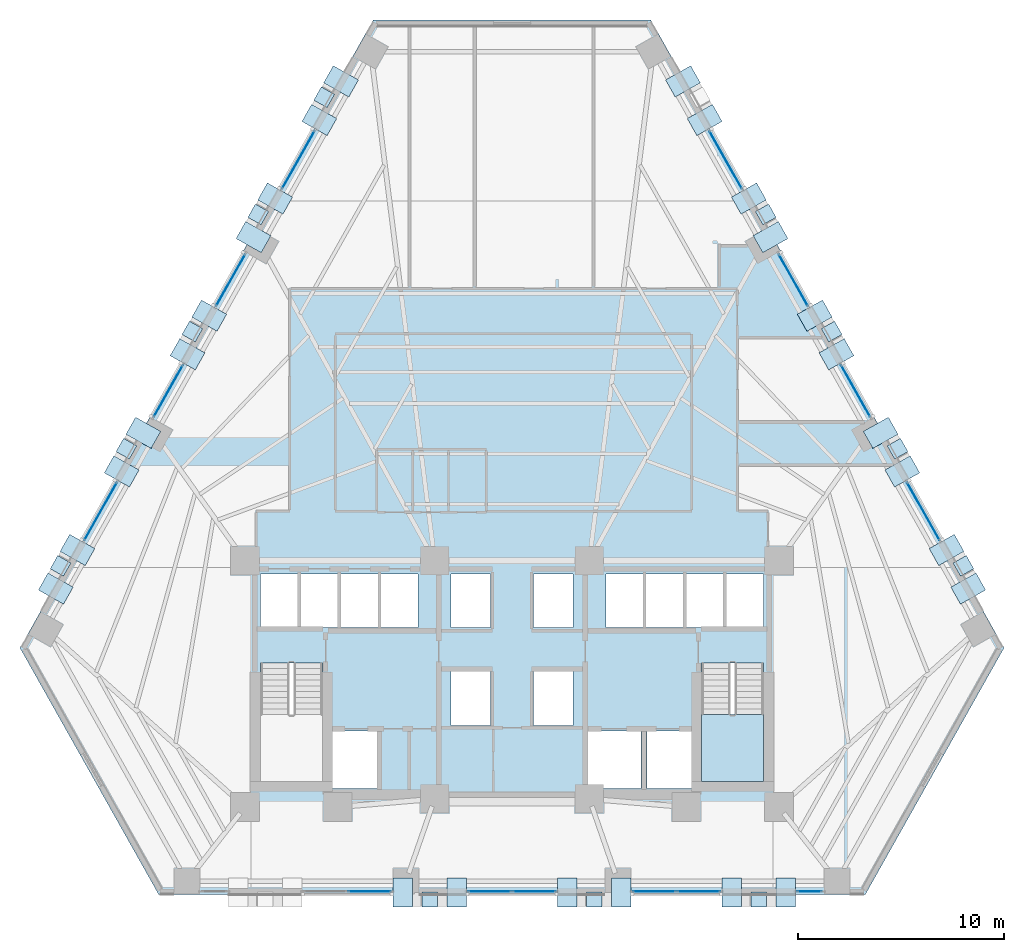
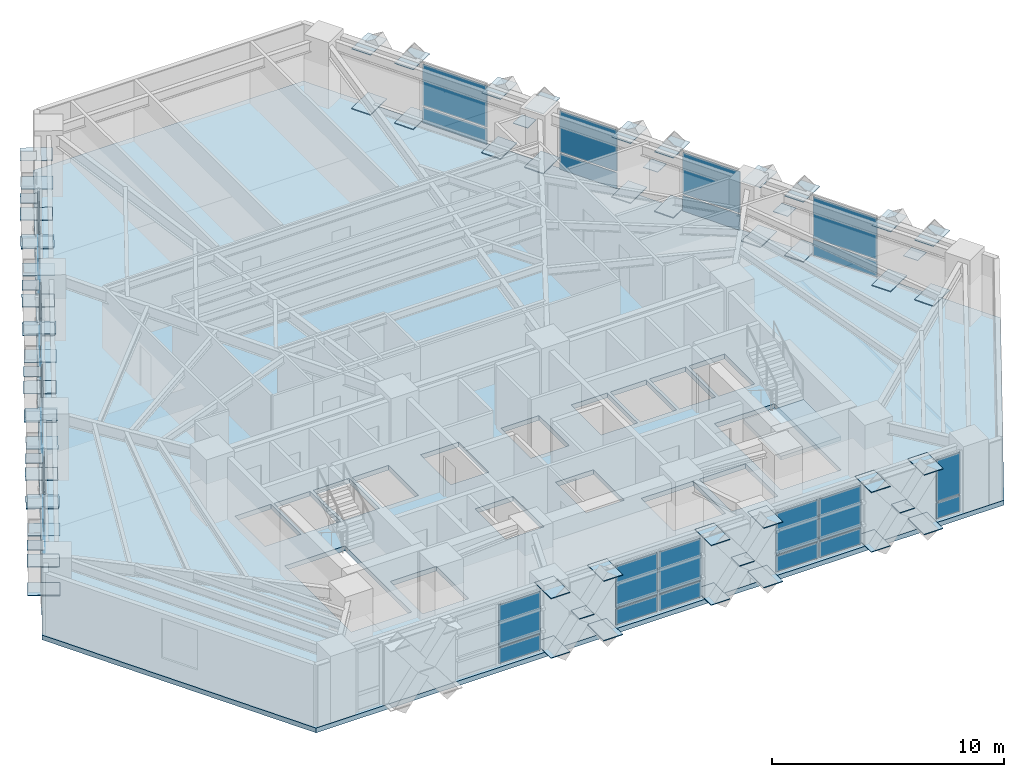
# One storey, part 6 of 13: 92 plates, 2 slabs, 13 elements without a shape of their own.
"""IFC4 building model written with IfcOpenShell, lengths in metres."""

from ifc_helpers import new_model, si_unit, direction, frame, origin, origin_2d, place, context, subcontext, project, spatial, polyline, rectangle, outline, extrude, material, layer, layer_set, type_object, element, aggregate, save


model = new_model("IFC4")

# Units and contexts
model_context = context("Model", 3, precision=1e-05, world=origin(), true_north=direction((0.0, 1.0)))
body_context = subcontext(model_context, "Body", "Model", "MODEL_VIEW")
ifc_project = project(units=[si_unit("LENGTHUNIT", "METRE"), si_unit("AREAUNIT", "SQUARE_METRE"), si_unit("VOLUMEUNIT", "CUBIC_METRE"), si_unit("PLANEANGLEUNIT", "RADIAN"), si_unit("MASSUNIT", "GRAM", prefix="KILO")], contexts=[model_context])

# Site, building, storey
site_placement = place(None, origin())
site = spatial("IfcSite", under=ifc_project, at=site_placement, CompositionType="ELEMENT")
building_placement = place(site_placement, origin())
building = spatial("IfcBuilding", under=site, at=building_placement, Name="Quenlor Broadcast Tower", CompositionType="ELEMENT")
storey_placement = place(building_placement, frame((0.0, 0.0, 31.10009765625)))
storey = spatial("IfcBuildingStorey", under=building, at=storey_placement, Name="L07", CompositionType="ELEMENT", Elevation=31.10009765625)

# Curtain wall, plates
ifc_material_1 = material(Name="Architectural Terracotta and Low-E Glazing", Category="masonry")
curtain_wall_type = type_object("IfcCurtainWallType", Name="Unitised Terracotta Curtain Wall System Z1", PredefinedType="NOTDEFINED", material=ifc_material_1)
curtain_wall_1_placement = place(storey_placement, origin())
curtain_wall_1 = element("IfcCurtainWall", 1, at=curtain_wall_1_placement, inside=storey, type_object=curtain_wall_type, Name="L07 Curtain Wall CW1 (L07-SA-G1)", PredefinedType="NOTDEFINED")
ifc_material_2 = material(Name="Double Glazed Low-E Solar Glass", Category="glass")
ifc_layer_1 = layer(ifc_material_2, 0.031982421875)
ifc_layer_set_1 = layer_set([ifc_layer_1], Name="CW1 Double Glazed Vision Panel 32")
plate_type_1 = type_object("IfcPlateType", Name="CW1 Double Glazed Vision Panel 32", PredefinedType="CURTAIN_PANEL", material=ifc_layer_set_1)
plate_1_placement = place(storey_placement, frame((14.44091796875, -20.840087890625, 0.079833984375), z_axis=(0.0, 0.0, 1.0), x_axis=(-1.0, 0.0, 0.0)))
plate_1 = element("IfcPlate", 2, at=plate_1_placement, type_object=plate_type_1, Name="CW1 panel 1.1", PredefinedType="CURTAIN_PANEL", context=body_context, shape_type="SweptSolid", body=[
    extrude(rectangle(XDim=1.188232421875, YDim=0.031982421875, at=origin_2d()), origin(), (0.0, 0.0, 1.0), 0.830078125),
])
plate_2_placement = place(storey_placement, frame((14.44091796875, -20.840087890625, 0.98974609375), z_axis=(0.0, 0.0, 1.0), x_axis=(-1.0, 0.0, 0.0)))
plate_2 = element("IfcPlate", 3, at=plate_2_placement, type_object=plate_type_1, Name="CW1 panel 1.2", PredefinedType="CURTAIN_PANEL", context=body_context, shape_type="SweptSolid", body=[
    extrude(rectangle(XDim=1.188232421875, YDim=0.031982421875, at=origin_2d()), origin(), (0.0, 0.0, 1.0), 2.179931640625),
])
aggregate(curtain_wall_1, [plate_1, plate_2])

curtain_wall_2_placement = place(storey_placement, origin())
curtain_wall_2 = element("IfcCurtainWall", 4, at=curtain_wall_2_placement, inside=storey, type_object=curtain_wall_type, Name="L07 Curtain Wall CW1 (L07-SA-G2)", PredefinedType="NOTDEFINED")
plate_3_placement = place(storey_placement, frame((9.058837890625, -20.840087890625, 0.079833984375), z_axis=(0.0, 0.0, 1.0), x_axis=(-1.0, 0.0, 0.0)))
plate_3 = element("IfcPlate", 5, at=plate_3_placement, type_object=plate_type_1, Name="CW1 panel 1.1", PredefinedType="CURTAIN_PANEL", context=body_context, shape_type="SweptSolid", body=[
    extrude(rectangle(XDim=2.072021484375, YDim=0.031982421875, at=origin_2d()), origin(), (0.0, 0.0, 1.0), 0.830078125),
])
plate_4_placement = place(storey_placement, frame((9.058837890625, -20.840087890625, 0.98974609375), z_axis=(0.0, 0.0, 1.0), x_axis=(-1.0, 0.0, 0.0)))
plate_4 = element("IfcPlate", 6, at=plate_4_placement, type_object=plate_type_1, Name="CW1 panel 1.2", PredefinedType="CURTAIN_PANEL", context=body_context, shape_type="SweptSolid", body=[
    extrude(rectangle(XDim=2.072021484375, YDim=0.031982421875, at=origin_2d()), origin(), (0.0, 0.0, 1.0), 2.179931640625),
])
plate_5_placement = place(storey_placement, frame((6.90673828125, -20.840087890625, 0.079833984375), z_axis=(0.0, 0.0, 1.0), x_axis=(-1.0, 0.0, 0.0)))
plate_5 = element("IfcPlate", 7, at=plate_5_placement, type_object=plate_type_1, Name="CW1 panel 2.1", PredefinedType="CURTAIN_PANEL", context=body_context, shape_type="SweptSolid", body=[
    extrude(rectangle(XDim=2.072021484375, YDim=0.031982421875, at=origin_2d()), origin(), (0.0, 0.0, 1.0), 0.830078125),
])
plate_6_placement = place(storey_placement, frame((6.90673828125, -20.840087890625, 0.98974609375), z_axis=(0.0, 0.0, 1.0), x_axis=(-1.0, 0.0, 0.0)))
plate_6 = element("IfcPlate", 8, at=plate_6_placement, type_object=plate_type_1, Name="CW1 panel 2.2", PredefinedType="CURTAIN_PANEL", context=body_context, shape_type="SweptSolid", body=[
    extrude(rectangle(XDim=2.072021484375, YDim=0.031982421875, at=origin_2d()), origin(), (0.0, 0.0, 1.0), 2.179931640625),
])
aggregate(curtain_wall_2, [plate_3, plate_4, plate_5, plate_6])

curtain_wall_3_placement = place(storey_placement, origin())
curtain_wall_3 = element("IfcCurtainWall", 9, at=curtain_wall_3_placement, inside=storey, type_object=curtain_wall_type, Name="L07 Curtain Wall CW1 (L07-SC-G1)", PredefinedType="NOTDEFINED")
plate_7_placement = place(storey_placement, frame((-6.90673828125, -20.840087890625, 0.079833984375), z_axis=(0.0, 0.0, 1.0), x_axis=(-1.0, 0.0, 0.0)))
plate_7 = element("IfcPlate", 10, at=plate_7_placement, type_object=plate_type_1, Name="CW1 panel 1.1", PredefinedType="CURTAIN_PANEL", context=body_context, shape_type="SweptSolid", body=[
    extrude(rectangle(XDim=2.072021484375, YDim=0.031982421875, at=origin_2d()), origin(), (0.0, 0.0, 1.0), 0.830078125),
])
plate_8_placement = place(storey_placement, frame((-6.90673828125, -20.840087890625, 0.98974609375), z_axis=(0.0, 0.0, 1.0), x_axis=(-1.0, 0.0, 0.0)))
plate_8 = element("IfcPlate", 11, at=plate_8_placement, type_object=plate_type_1, Name="CW1 panel 1.2", PredefinedType="CURTAIN_PANEL", context=body_context, shape_type="SweptSolid", body=[
    extrude(rectangle(XDim=2.072021484375, YDim=0.031982421875, at=origin_2d()), origin(), (0.0, 0.0, 1.0), 2.179931640625),
])
aggregate(curtain_wall_3, [plate_7, plate_8])

curtain_wall_4_placement = place(storey_placement, origin())
curtain_wall_4 = element("IfcCurtainWall", 12, at=curtain_wall_4_placement, inside=storey, type_object=curtain_wall_type, Name="L07 Curtain Wall CW1 (L07-S-G1)", PredefinedType="NOTDEFINED")
plate_9_placement = place(storey_placement, frame((1.0771484375, -20.840087890625, 0.079833984375), z_axis=(0.0, 0.0, 1.0), x_axis=(-1.0, 0.0, 0.0)))
plate_9 = element("IfcPlate", 13, at=plate_9_placement, type_object=plate_type_1, Name="CW1 panel 1.1", PredefinedType="CURTAIN_PANEL", context=body_context, shape_type="SweptSolid", body=[
    extrude(rectangle(XDim=2.07421875, YDim=0.031982421875, at=origin_2d()), origin(), (0.0, 0.0, 1.0), 0.830078125),
])
plate_10_placement = place(storey_placement, frame((1.0771484375, -20.840087890625, 0.98974609375), z_axis=(0.0, 0.0, 1.0), x_axis=(-1.0, 0.0, 0.0)))
plate_10 = element("IfcPlate", 14, at=plate_10_placement, type_object=plate_type_1, Name="CW1 panel 1.2", PredefinedType="CURTAIN_PANEL", context=body_context, shape_type="SweptSolid", body=[
    extrude(rectangle(XDim=2.07421875, YDim=0.031982421875, at=origin_2d()), origin(), (0.0, 0.0, 1.0), 2.179931640625),
])
plate_11_placement = place(storey_placement, frame((-1.0771484375, -20.840087890625, 0.079833984375), z_axis=(0.0, 0.0, 1.0), x_axis=(-1.0, 0.0, 0.0)))
plate_11 = element("IfcPlate", 15, at=plate_11_placement, type_object=plate_type_1, Name="CW1 panel 2.1", PredefinedType="CURTAIN_PANEL", context=body_context, shape_type="SweptSolid", body=[
    extrude(rectangle(XDim=2.07421875, YDim=0.031982421875, at=origin_2d()), origin(), (0.0, 0.0, 1.0), 0.830078125),
])
plate_12_placement = place(storey_placement, frame((-1.0771484375, -20.840087890625, 0.98974609375), z_axis=(0.0, 0.0, 1.0), x_axis=(-1.0, 0.0, 0.0)))
plate_12 = element("IfcPlate", 16, at=plate_12_placement, type_object=plate_type_1, Name="CW1 panel 2.2", PredefinedType="CURTAIN_PANEL", context=body_context, shape_type="SweptSolid", body=[
    extrude(rectangle(XDim=2.07421875, YDim=0.031982421875, at=origin_2d()), origin(), (0.0, 0.0, 1.0), 2.179931640625),
])
aggregate(curtain_wall_4, [plate_9, plate_10, plate_11, plate_12])

curtain_wall_5_placement = place(storey_placement, origin())
curtain_wall_5 = element("IfcCurtainWall", 17, at=curtain_wall_5_placement, inside=storey, type_object=curtain_wall_type, Name="L07 Curtain Wall CW1 (L07-NEA-G1)", PredefinedType="NOTDEFINED")
plate_13_placement = place(storey_placement, frame((10.365234375, 14.646240234375, 0.079833984375), z_axis=(0.0, 0.0, 1.0), x_axis=(0.49024438836, -0.871585015751, 0.0)))
plate_13 = element("IfcPlate", 18, at=plate_13_placement, type_object=plate_type_1, Name="CW1 panel 1.1", PredefinedType="CURTAIN_PANEL", context=body_context, shape_type="SweptSolid", body=[
    extrude(rectangle(XDim=3.220947265625, YDim=0.031982421875, at=origin_2d()), origin(), (0.0, 0.0, 1.0), 0.830078125),
])
plate_14_placement = place(storey_placement, frame((10.365234375, 14.646240234375, 0.98974609375), z_axis=(0.0, 0.0, 1.0), x_axis=(0.49024438836, -0.871585015751, 0.0)))
plate_14 = element("IfcPlate", 19, at=plate_14_placement, type_object=plate_type_1, Name="CW1 panel 1.2", PredefinedType="CURTAIN_PANEL", context=body_context, shape_type="SweptSolid", body=[
    extrude(rectangle(XDim=3.220947265625, YDim=0.031982421875, at=origin_2d()), origin(), (0.0, 0.0, 1.0), 2.179931640625),
])
aggregate(curtain_wall_5, [plate_13, plate_14])

curtain_wall_6_placement = place(storey_placement, origin())
curtain_wall_6 = element("IfcCurtainWall", 20, at=curtain_wall_6_placement, inside=storey, type_object=curtain_wall_type, Name="L07 Curtain Wall CW1 (L07-NEC-G1)", PredefinedType="NOTDEFINED")
plate_15_placement = place(storey_placement, frame((19.95556640625, -2.403076171875, 0.079833984375), z_axis=(0.0, 0.0, 1.0), x_axis=(0.49025702672, -0.871577906875, 0.0)))
plate_15 = element("IfcPlate", 21, at=plate_15_placement, type_object=plate_type_1, Name="CW1 panel 1.1", PredefinedType="CURTAIN_PANEL", context=body_context, shape_type="SweptSolid", body=[
    extrude(rectangle(XDim=3.220947265625, YDim=0.031982421875, at=origin_2d()), origin(), (0.0, 0.0, 1.0), 0.830078125),
])
plate_16_placement = place(storey_placement, frame((19.95556640625, -2.403076171875, 0.98974609375), z_axis=(0.0, 0.0, 1.0), x_axis=(0.49025702672, -0.871577906875, 0.0)))
plate_16 = element("IfcPlate", 22, at=plate_16_placement, type_object=plate_type_1, Name="CW1 panel 1.2", PredefinedType="CURTAIN_PANEL", context=body_context, shape_type="SweptSolid", body=[
    extrude(rectangle(XDim=3.220947265625, YDim=0.031982421875, at=origin_2d()), origin(), (0.0, 0.0, 1.0), 2.179931640625),
])
aggregate(curtain_wall_6, [plate_15, plate_16])

curtain_wall_7_placement = place(storey_placement, origin())
curtain_wall_7 = element("IfcCurtainWall", 23, at=curtain_wall_7_placement, inside=storey, type_object=curtain_wall_type, Name="L07 Curtain Wall CW1 (L07-NE-G1)", PredefinedType="NOTDEFINED")
plate_17_placement = place(storey_placement, frame((13.648681640625, 8.809326171875, 0.079833984375), z_axis=(0.0, 0.0, 1.0), x_axis=(0.490273782815, -0.871568481465, 0.0)))
plate_17 = element("IfcPlate", 24, at=plate_17_placement, type_object=plate_type_1, Name="CW1 panel 1.1", PredefinedType="CURTAIN_PANEL", context=body_context, shape_type="SweptSolid", body=[
    extrude(rectangle(XDim=2.8681640625, YDim=0.031982421875, at=origin_2d()), origin(), (0.0, 0.0, 1.0), 0.830078125),
])
plate_18_placement = place(storey_placement, frame((13.648681640625, 8.809326171875, 0.98974609375), z_axis=(0.0, 0.0, 1.0), x_axis=(0.490273782815, -0.871568481465, 0.0)))
plate_18 = element("IfcPlate", 25, at=plate_18_placement, type_object=plate_type_1, Name="CW1 panel 1.2", PredefinedType="CURTAIN_PANEL", context=body_context, shape_type="SweptSolid", body=[
    extrude(rectangle(XDim=2.8681640625, YDim=0.031982421875, at=origin_2d()), origin(), (0.0, 0.0, 1.0), 2.179931640625),
])
aggregate(curtain_wall_7, [plate_17, plate_18])

curtain_wall_8_placement = place(storey_placement, origin())
curtain_wall_8 = element("IfcCurtainWall", 26, at=curtain_wall_8_placement, inside=storey, type_object=curtain_wall_type, Name="L07 Curtain Wall CW1 (L07-NE-G2)", PredefinedType="NOTDEFINED")
plate_19_placement = place(storey_placement, frame((16.67236328125, 3.433837890625, 0.079833984375), z_axis=(0.0, 0.0, 1.0), x_axis=(0.490273782815, -0.871568481465, 0.0)))
plate_19 = element("IfcPlate", 27, at=plate_19_placement, type_object=plate_type_1, Name="CW1 panel 1.1", PredefinedType="CURTAIN_PANEL", context=body_context, shape_type="SweptSolid", body=[
    extrude(rectangle(XDim=2.8681640625, YDim=0.031982421875, at=origin_2d()), origin(), (0.0, 0.0, 1.0), 0.830078125),
])
plate_20_placement = place(storey_placement, frame((16.67236328125, 3.433837890625, 0.98974609375), z_axis=(0.0, 0.0, 1.0), x_axis=(0.490273782815, -0.871568481465, 0.0)))
plate_20 = element("IfcPlate", 28, at=plate_20_placement, type_object=plate_type_1, Name="CW1 panel 1.2", PredefinedType="CURTAIN_PANEL", context=body_context, shape_type="SweptSolid", body=[
    extrude(rectangle(XDim=2.8681640625, YDim=0.031982421875, at=origin_2d()), origin(), (0.0, 0.0, 1.0), 2.179931640625),
])
aggregate(curtain_wall_8, [plate_19, plate_20])

curtain_wall_9_placement = place(storey_placement, origin())
curtain_wall_9 = element("IfcCurtainWall", 29, at=curtain_wall_9_placement, inside=storey, type_object=curtain_wall_type, Name="L07 Curtain Wall CW1 (L07-NWA-G1)", PredefinedType="NOTDEFINED")
plate_21_placement = place(storey_placement, frame((-19.95556640625, -2.403076171875, 0.079833984375), z_axis=(0.0, 0.0, 1.0), x_axis=(0.49025702672, 0.871577906875, 0.0)))
plate_21 = element("IfcPlate", 30, at=plate_21_placement, type_object=plate_type_1, Name="CW1 panel 1.1", PredefinedType="CURTAIN_PANEL", context=body_context, shape_type="SweptSolid", body=[
    extrude(rectangle(XDim=3.220947265625, YDim=0.031982421875, at=origin_2d()), origin(), (0.0, 0.0, 1.0), 0.830078125),
])
plate_22_placement = place(storey_placement, frame((-19.95556640625, -2.403076171875, 0.98974609375), z_axis=(0.0, 0.0, 1.0), x_axis=(0.49025702672, 0.871577906875, 0.0)))
plate_22 = element("IfcPlate", 31, at=plate_22_placement, type_object=plate_type_1, Name="CW1 panel 1.2", PredefinedType="CURTAIN_PANEL", context=body_context, shape_type="SweptSolid", body=[
    extrude(rectangle(XDim=3.220947265625, YDim=0.031982421875, at=origin_2d()), origin(), (0.0, 0.0, 1.0), 2.179931640625),
])
aggregate(curtain_wall_9, [plate_21, plate_22])

curtain_wall_10_placement = place(storey_placement, origin())
curtain_wall_10 = element("IfcCurtainWall", 32, at=curtain_wall_10_placement, inside=storey, type_object=curtain_wall_type, Name="L07 Curtain Wall CW1 (L07-NWC-G1)", PredefinedType="NOTDEFINED")
plate_23_placement = place(storey_placement, frame((-10.365234375, 14.646240234375, 0.079833984375), z_axis=(0.0, 0.0, 1.0), x_axis=(0.49024438836, 0.871585015751, 0.0)))
plate_23 = element("IfcPlate", 33, at=plate_23_placement, type_object=plate_type_1, Name="CW1 panel 1.1", PredefinedType="CURTAIN_PANEL", context=body_context, shape_type="SweptSolid", body=[
    extrude(rectangle(XDim=3.220947265625, YDim=0.031982421875, at=origin_2d()), origin(), (0.0, 0.0, 1.0), 0.830078125),
])
plate_24_placement = place(storey_placement, frame((-10.365234375, 14.646240234375, 0.98974609375), z_axis=(0.0, 0.0, 1.0), x_axis=(0.49024438836, 0.871585015751, 0.0)))
plate_24 = element("IfcPlate", 34, at=plate_24_placement, type_object=plate_type_1, Name="CW1 panel 1.2", PredefinedType="CURTAIN_PANEL", context=body_context, shape_type="SweptSolid", body=[
    extrude(rectangle(XDim=3.220947265625, YDim=0.031982421875, at=origin_2d()), origin(), (0.0, 0.0, 1.0), 2.179931640625),
])
aggregate(curtain_wall_10, [plate_23, plate_24])

curtain_wall_11_placement = place(storey_placement, origin())
curtain_wall_11 = element("IfcCurtainWall", 35, at=curtain_wall_11_placement, inside=storey, type_object=curtain_wall_type, Name="L07 Curtain Wall CW1 (L07-NW-G1)", PredefinedType="NOTDEFINED")
plate_25_placement = place(storey_placement, frame((-16.67236328125, 3.433837890625, 0.079833984375), z_axis=(0.0, 0.0, 1.0), x_axis=(0.490273782815, 0.871568481465, 0.0)))
plate_25 = element("IfcPlate", 36, at=plate_25_placement, type_object=plate_type_1, Name="CW1 panel 1.1", PredefinedType="CURTAIN_PANEL", context=body_context, shape_type="SweptSolid", body=[
    extrude(rectangle(XDim=2.8681640625, YDim=0.031982421875, at=origin_2d()), origin(), (0.0, 0.0, 1.0), 0.830078125),
])
plate_26_placement = place(storey_placement, frame((-16.67236328125, 3.433837890625, 0.98974609375), z_axis=(0.0, 0.0, 1.0), x_axis=(0.490273782815, 0.871568481465, 0.0)))
plate_26 = element("IfcPlate", 37, at=plate_26_placement, type_object=plate_type_1, Name="CW1 panel 1.2", PredefinedType="CURTAIN_PANEL", context=body_context, shape_type="SweptSolid", body=[
    extrude(rectangle(XDim=2.8681640625, YDim=0.031982421875, at=origin_2d()), origin(), (0.0, 0.0, 1.0), 2.179931640625),
])
aggregate(curtain_wall_11, [plate_25, plate_26])

curtain_wall_12_placement = place(storey_placement, origin())
curtain_wall_12 = element("IfcCurtainWall", 38, at=curtain_wall_12_placement, inside=storey, type_object=curtain_wall_type, Name="L07 Curtain Wall CW1 (L07-NW-G2)", PredefinedType="NOTDEFINED")
plate_27_placement = place(storey_placement, frame((-13.648681640625, 8.809326171875, 0.079833984375), z_axis=(0.0, 0.0, 1.0), x_axis=(0.490273782815, 0.871568481465, 0.0)))
plate_27 = element("IfcPlate", 39, at=plate_27_placement, type_object=plate_type_1, Name="CW1 panel 1.1", PredefinedType="CURTAIN_PANEL", context=body_context, shape_type="SweptSolid", body=[
    extrude(rectangle(XDim=2.8681640625, YDim=0.031982421875, at=origin_2d()), origin(), (0.0, 0.0, 1.0), 0.830078125),
])
plate_28_placement = place(storey_placement, frame((-13.648681640625, 8.809326171875, 0.98974609375), z_axis=(0.0, 0.0, 1.0), x_axis=(0.490273782815, 0.871568481465, 0.0)))
plate_28 = element("IfcPlate", 40, at=plate_28_placement, type_object=plate_type_1, Name="CW1 panel 1.2", PredefinedType="CURTAIN_PANEL", context=body_context, shape_type="SweptSolid", body=[
    extrude(rectangle(XDim=2.8681640625, YDim=0.031982421875, at=origin_2d()), origin(), (0.0, 0.0, 1.0), 2.179931640625),
])
aggregate(curtain_wall_12, [plate_27, plate_28])

# Plates
ifc_material_3 = material(Name="Steel S355", Category="steel")
ifc_layer_2 = layer(ifc_material_3, 0.028076171875)
ifc_layer_set_2 = layer_set([ifc_layer_2], Name="Perimeter Lattice Node Steel S355 Cap Plate 740x740x28")
plate_type_2 = type_object("IfcPlateType", Name="Perimeter Lattice Node Steel S355 Cap Plate 740x740x28", PredefinedType="USERDEFINED", material=ifc_layer_set_2)
for number, where, z_axis, x_axis, name in (
    (41, (11.970703125, -21.235107421875, 1.61572265625), (0.0, 0.0, 1.0), (-1.0, 0.0, 0.0), "L07 Diamond Lattice Crossing Node S-C1"),
    (42, (3.990234375, -21.235107421875, 1.61572265625), (0.0, 0.0, 1.0), (-1.0, 0.0, 0.0), "L07 Diamond Lattice Crossing Node S-C2"),
    (43, (-3.990234375, -21.235107421875, 1.61572265625), (0.0, 0.0, 1.0), (-1.0, 0.0, 0.0), "L07 Diamond Lattice Crossing Node S-C3"),
    (44, (12.30810546875, 11.998291015625, 1.61572265625), (0.0, 0.0, 1.0), (0.490295412055, -0.871556314255, 0.0), "L07 Diamond Lattice Crossing Node NE-C2"),
    (45, (15.5048828125, 6.315185546875, 1.61572265625), (0.0, 0.0, 1.0), (0.490295412055, -0.871556314255, 0.0), "L07 Diamond Lattice Crossing Node NE-C3"),
    (46, (18.70166015625, 0.632080078125, 1.61572265625), (0.0, 0.0, 1.0), (0.490295412055, -0.871556314255, 0.0), "L07 Diamond Lattice Crossing Node NE-C4"),
    (47, (21.898193359375, -5.051025390625, 1.61572265625), (0.0, 0.0, 1.0), (0.490295412055, -0.871556314255, 0.0), "L07 Diamond Lattice Crossing Node NE-C5"),
    (48, (-21.898193359375, -5.051025390625, 1.61572265625), (0.0, 0.0, 1.0), (0.490295412055, 0.871556314255, 0.0), "L07 Diamond Lattice Crossing Node NW-C1"),
    (49, (-18.70166015625, 0.632080078125, 1.61572265625), (0.0, 0.0, 1.0), (0.490295412055, 0.871556314255, 0.0), "L07 Diamond Lattice Crossing Node NW-C2"),
    (50, (-15.5048828125, 6.315185546875, 1.61572265625), (0.0, 0.0, 1.0), (0.490295412055, 0.871556314255, 0.0), "L07 Diamond Lattice Crossing Node NW-C3"),
    (51, (-12.30810546875, 11.998291015625, 1.61572265625), (0.0, 0.0, 1.0), (0.490295412055, 0.871556314255, 0.0), "L07 Diamond Lattice Crossing Node NW-C4"),
    (52, (-9.111083984375, 17.681640625, 1.61572265625), (0.0, 0.0, 1.0), (0.490295412055, 0.871556314255, 0.0), "L07 Diamond Lattice Crossing Node NW-C5"),
):
    element("IfcPlate", number, at=place(storey_placement, frame(where, z_axis=z_axis, x_axis=x_axis)), inside=storey, type_object=plate_type_2, Name=name, ObjectType="CAP PLATE", PredefinedType="USERDEFINED", context=body_context, shape_type="SweptSolid", body=[
        extrude(rectangle(XDim=0.739990234375, YDim=0.739990234375, at=origin_2d()), origin(), (0.0, 0.0, 1.0), 0.028076171875),
    ])

# Stair, slab
ifc_material_4 = material(Name="Precast concrete C40/50", Category="concrete")
stair_type = type_object("IfcStairType", Name="Precast Concrete C40/50 Dogleg Stair H350", PredefinedType="HALF_TURN_STAIR", material=ifc_material_4)
stair_placement = place(storey_placement, origin())
stair = element("IfcStair", 53, at=stair_placement, inside=storey, type_object=stair_type, Name="L07 East Core Fire-Isolated Exit Stair ST-2", PredefinedType="HALF_TURN_STAIR")
ifc_material_5 = material(Name="Precast concrete C40/50", Category="concrete")
ifc_layer_3 = layer(ifc_material_5, 0.199951171875)
ifc_layer_set_3 = layer_set([ifc_layer_3], Name="Precast Concrete C40/50 Stair Landing Slab 200")
slab_type_1 = type_object("IfcSlabType", Name="Precast Concrete C40/50 Stair Landing Slab 200", PredefinedType="LANDING", material=ifc_layer_set_3)
slab_1_placement = place(storey_placement, frame((0.0, 0.0, 1.5498046875)))
slab_1 = element("IfcSlab", 54, at=slab_1_placement, type_object=slab_type_1, Name="ST-2 landing 1", PredefinedType="LANDING", context=body_context, shape_type="SweptSolid", body=[
    extrude(outline(polyline([(9.199951171875, -12.27001953125), (9.199951171875, -15.5), (12.199951171875, -15.5), (12.199951171875, -12.27001953125), (9.199951171875, -12.27001953125)])), origin(), (0.0, 0.0, 1.0), 0.2001953125),
])
aggregate(stair, [slab_1])

# Slab
ifc_material_6 = material(Name="Concrete C40/50", Category="concrete")
ifc_layer_4 = layer(ifc_material_6, 0.25)
ifc_layer_set_4 = layer_set([ifc_layer_4], Name="Tower Composite Concrete C40/50 Slab 250")
slab_type_2 = type_object("IfcSlabType", Name="Tower Composite Concrete C40/50 Slab 250", PredefinedType="FLOOR", material=ifc_layer_set_4)
slab_2_placement = place(storey_placement, frame((0.0, 0.0, -0.25)))
element("IfcSlab", 55, at=slab_2_placement, inside=storey, type_object=slab_type_2, Name="L07 Structural Floor Slab", PredefinedType="FLOOR", context=body_context, shape_type="SweptSolid", body=[
    extrude(outline(polyline([(17.135986328125, -21.0), (23.867919921875, -9.031982421875), (6.73193359375, 21.431884765625), (-6.73193359375, 21.431884765625), (-23.867919921875, -9.031982421875), (-17.135986328125, -21.0), (17.135986328125, -21.0)]), holes=[polyline([(-12.199951171875, -9.758056640625), (-12.199951171875, -15.5), (-9.199951171875, -15.5), (-9.199951171875, -9.758056640625), (-12.199951171875, -9.758056640625)]), polyline([(9.199951171875, -9.758056640625), (9.199951171875, -15.5), (12.199951171875, -15.5), (12.199951171875, -9.758056640625), (9.199951171875, -9.758056640625)]), polyline([(-12.199951171875, -8.050048828125), (-10.39990234375, -8.050048828125), (-10.39990234375, -5.449951171875), (-12.199951171875, -5.449951171875), (-12.199951171875, -8.050048828125)]), polyline([(-10.25, -8.050048828125), (-8.449951171875, -8.050048828125), (-8.449951171875, -5.449951171875), (-10.25, -5.449951171875), (-10.25, -8.050048828125)]), polyline([(-8.300048828125, -8.050048828125), (-6.5, -8.050048828125), (-6.5, -5.449951171875), (-8.300048828125, -5.449951171875), (-8.300048828125, -8.050048828125)]), polyline([(-6.35009765625, -8.050048828125), (-4.550048828125, -8.050048828125), (-4.550048828125, -5.449951171875), (-6.35009765625, -5.449951171875), (-6.35009765625, -8.050048828125)]), polyline([(-2.949951171875, -8.050048828125), (-1.050048828125, -8.050048828125), (-1.050048828125, -5.449951171875), (-2.949951171875, -5.449951171875), (-2.949951171875, -8.050048828125)]), polyline([(1.050048828125, -8.050048828125), (2.949951171875, -8.050048828125), (2.949951171875, -5.449951171875), (1.050048828125, -5.449951171875), (1.050048828125, -8.050048828125)]), polyline([(-2.949951171875, -12.800048828125), (-1.050048828125, -12.800048828125), (-1.050048828125, -10.14990234375), (-2.949951171875, -10.14990234375), (-2.949951171875, -12.800048828125)]), polyline([(1.050048828125, -12.800048828125), (2.949951171875, -12.800048828125), (2.949951171875, -10.14990234375), (1.050048828125, -10.14990234375), (1.050048828125, -12.800048828125)]), polyline([(4.550048828125, -8.050048828125), (6.35009765625, -8.050048828125), (6.35009765625, -5.449951171875), (4.550048828125, -5.449951171875), (4.550048828125, -8.050048828125)]), polyline([(6.5, -8.050048828125), (8.300048828125, -8.050048828125), (8.300048828125, -5.449951171875), (6.5, -5.449951171875), (6.5, -8.050048828125)]), polyline([(8.449951171875, -8.050048828125), (10.25, -8.050048828125), (10.25, -5.449951171875), (8.449951171875, -5.449951171875), (8.449951171875, -8.050048828125)]), polyline([(10.39990234375, -8.050048828125), (12.199951171875, -8.050048828125), (12.199951171875, -5.449951171875), (10.39990234375, -5.449951171875), (10.39990234375, -8.050048828125)]), polyline([(-8.85009765625, -15.85009765625), (-6.550048828125, -15.85009765625), (-6.550048828125, -13.050048828125), (-8.85009765625, -13.050048828125), (-8.85009765625, -15.85009765625)]), polyline([(6.550048828125, -15.85009765625), (8.85009765625, -15.85009765625), (8.85009765625, -13.050048828125), (6.550048828125, -13.050048828125), (6.550048828125, -15.85009765625)]), polyline([(3.64990234375, -15.85009765625), (6.25, -15.85009765625), (6.25, -13.050048828125), (3.64990234375, -13.050048828125), (3.64990234375, -15.85009765625)])]), origin(), (0.0, 0.0, 1.0), 0.25),
])

# Plates
ifc_material_7 = material(Name="Steel S355", Category="steel")
ifc_layer_5 = layer(ifc_material_7, 0.035888671875)
ifc_layer_set_5 = layer_set([ifc_layer_5], Name="Transfer Truss Steel S355 Gusset Node Plate 1400x950x36")
plate_type_3 = type_object("IfcPlateType", Name="Transfer Truss Steel S355 Gusset Node Plate 1400x950x36", PredefinedType="SHEET", material=ifc_layer_set_5)
for number, where, z_axis, x_axis, name in (
    (56, (13.284912109375, -20.89990234375, 0.0419921875), (0.0, 0.0, 1.0), (0.0, -1.0, 0.0), "L07 Lattice Tie Gusset Node S-B1"),
    (57, (10.656494140625, -20.89990234375, 3.18212890625), (0.0, 0.0, 1.0), (0.0, -1.0, 0.0), "L07 Lattice Tie Gusset Node S-T2"),
    (58, (10.656494140625, -20.89990234375, 0.0419921875), (0.0, 0.0, 1.0), (0.0, -1.0, 0.0), "L07 Lattice Tie Gusset Node S-B2"),
    (59, (13.284912109375, -20.89990234375, 3.18212890625), (0.0, 0.0, 1.0), (0.0, -1.0, 0.0), "L07 Lattice Tie Gusset Node S-T1"),
    (60, (5.304443359375, -20.89990234375, 0.0419921875), (0.0, 0.0, 1.0), (0.0, -1.0, 0.0), "L07 Lattice Tie Gusset Node S-B4"),
    (61, (2.676025390625, -20.89990234375, 3.18212890625), (0.0, 0.0, 1.0), (0.0, -1.0, 0.0), "L07 Lattice Tie Gusset Node S-T5"),
    (62, (2.676025390625, -20.89990234375, 0.0419921875), (0.0, 0.0, 1.0), (0.0, -1.0, 0.0), "L07 Lattice Tie Gusset Node S-B5"),
    (63, (5.304443359375, -20.89990234375, 3.18212890625), (0.0, 0.0, 1.0), (0.0, -1.0, 0.0), "L07 Lattice Tie Gusset Node S-T4"),
    (64, (-2.676025390625, -20.89990234375, 0.0419921875), (0.0, 0.0, 1.0), (0.0, -1.0, 0.0), "L07 Lattice Tie Gusset Node S-B7"),
    (65, (-5.304443359375, -20.89990234375, 3.18212890625), (0.0, 0.0, 1.0), (0.0, -1.0, 0.0), "L07 Lattice Tie Gusset Node S-T8"),
    (66, (-5.304443359375, -20.89990234375, 0.0419921875), (0.0, 0.0, 1.0), (0.0, -1.0, 0.0), "L07 Lattice Tie Gusset Node S-B8"),
    (67, (-2.676025390625, -20.89990234375, 3.18212890625), (0.0, 0.0, 1.0), (0.0, -1.0, 0.0), "L07 Lattice Tie Gusset Node S-T7"),
    (68, (8.292724609375, 18.453125, 0.0419921875), (0.0, 0.0, 1.0), (0.871556314255, 0.490295412055, 0.0), "L07 Lattice Tie Gusset Node NE-B1"),
    (69, (9.345703125, 16.58154296875, 3.18212890625), (0.0, 0.0, 1.0), (0.871556314255, 0.490295412055, 0.0), "L07 Lattice Tie Gusset Node NE-T2"),
    (70, (9.345703125, 16.58154296875, 0.0419921875), (0.0, 0.0, 1.0), (0.871556314255, 0.490295412055, 0.0), "L07 Lattice Tie Gusset Node NE-B2"),
    (71, (8.292724609375, 18.453125, 3.18212890625), (0.0, 0.0, 1.0), (0.871556314255, 0.490295412055, 0.0), "L07 Lattice Tie Gusset Node NE-T1"),
    (72, (11.489501953125, 12.77001953125, 0.0419921875), (0.0, 0.0, 1.0), (0.871556314255, 0.490295412055, 0.0), "L07 Lattice Tie Gusset Node NE-B4"),
    (73, (12.54248046875, 10.898193359375, 3.18212890625), (0.0, 0.0, 1.0), (0.871556314255, 0.490295412055, 0.0), "L07 Lattice Tie Gusset Node NE-T5"),
    (74, (12.54248046875, 10.898193359375, 0.0419921875), (0.0, 0.0, 1.0), (0.871556314255, 0.490295412055, 0.0), "L07 Lattice Tie Gusset Node NE-B5"),
    (75, (11.489501953125, 12.77001953125, 3.18212890625), (0.0, 0.0, 1.0), (0.871556314255, 0.490295412055, 0.0), "L07 Lattice Tie Gusset Node NE-T4"),
    (76, (14.686279296875, 7.0869140625, 0.0419921875), (0.0, 0.0, 1.0), (0.871556314255, 0.490295412055, 0.0), "L07 Lattice Tie Gusset Node NE-B7"),
    (77, (15.7392578125, 5.215087890625, 3.18212890625), (0.0, 0.0, 1.0), (0.871556314255, 0.490295412055, 0.0), "L07 Lattice Tie Gusset Node NE-T8"),
    (78, (15.7392578125, 5.215087890625, 0.0419921875), (0.0, 0.0, 1.0), (0.871556314255, 0.490295412055, 0.0), "L07 Lattice Tie Gusset Node NE-B8"),
    (79, (14.686279296875, 7.0869140625, 3.18212890625), (0.0, 0.0, 1.0), (0.871556314255, 0.490295412055, 0.0), "L07 Lattice Tie Gusset Node NE-T7"),
    (80, (17.88330078125, 1.40380859375, 0.0419921875), (0.0, 0.0, 1.0), (0.871556314255, 0.490295412055, 0.0), "L07 Lattice Tie Gusset Node NE-B10"),
    (81, (18.93603515625, -0.468017578125, 3.18212890625), (0.0, 0.0, 1.0), (0.871556314255, 0.490295412055, 0.0), "L07 Lattice Tie Gusset Node NE-T11"),
    (82, (18.93603515625, -0.468017578125, 0.0419921875), (0.0, 0.0, 1.0), (0.871556314255, 0.490295412055, 0.0), "L07 Lattice Tie Gusset Node NE-B11"),
    (83, (17.88330078125, 1.40380859375, 3.18212890625), (0.0, 0.0, 1.0), (0.871556314255, 0.490295412055, 0.0), "L07 Lattice Tie Gusset Node NE-T10"),
    (84, (21.079833984375, -4.279541015625, 0.0419921875), (0.0, 0.0, 1.0), (0.871556314255, 0.490295412055, 0.0), "L07 Lattice Tie Gusset Node NE-B13"),
    (85, (22.1328125, -6.151123046875, 3.18212890625), (0.0, 0.0, 1.0), (0.871556314255, 0.490295412055, 0.0), "L07 Lattice Tie Gusset Node NE-T14"),
    (86, (22.1328125, -6.151123046875, 0.0419921875), (0.0, 0.0, 1.0), (0.871556314255, 0.490295412055, 0.0), "L07 Lattice Tie Gusset Node NE-B14"),
    (87, (21.079833984375, -4.279541015625, 3.18212890625), (0.0, 0.0, 1.0), (0.871556314255, 0.490295412055, 0.0), "L07 Lattice Tie Gusset Node NE-T13"),
    (88, (-22.1328125, -6.151123046875, 0.0419921875), (0.0, 0.0, 1.0), (-0.871556314255, 0.490295412055, 0.0), "L07 Lattice Tie Gusset Node NW-B1"),
    (89, (-21.079833984375, -4.279541015625, 3.18212890625), (0.0, 0.0, 1.0), (-0.871556314255, 0.490295412055, 0.0), "L07 Lattice Tie Gusset Node NW-T2"),
    (90, (-21.079833984375, -4.279541015625, 0.0419921875), (0.0, 0.0, 1.0), (-0.871556314255, 0.490295412055, 0.0), "L07 Lattice Tie Gusset Node NW-B2"),
    (91, (-22.1328125, -6.151123046875, 3.18212890625), (0.0, 0.0, 1.0), (-0.871556314255, 0.490295412055, 0.0), "L07 Lattice Tie Gusset Node NW-T1"),
    (92, (-18.93603515625, -0.468017578125, 0.0419921875), (0.0, 0.0, 1.0), (-0.871556314255, 0.490295412055, 0.0), "L07 Lattice Tie Gusset Node NW-B4"),
    (93, (-17.88330078125, 1.40380859375, 3.18212890625), (0.0, 0.0, 1.0), (-0.871556314255, 0.490295412055, 0.0), "L07 Lattice Tie Gusset Node NW-T5"),
    (94, (-17.88330078125, 1.40380859375, 0.0419921875), (0.0, 0.0, 1.0), (-0.871556314255, 0.490295412055, 0.0), "L07 Lattice Tie Gusset Node NW-B5"),
    (95, (-18.93603515625, -0.468017578125, 3.18212890625), (0.0, 0.0, 1.0), (-0.871556314255, 0.490295412055, 0.0), "L07 Lattice Tie Gusset Node NW-T4"),
    (96, (-15.7392578125, 5.215087890625, 0.0419921875), (0.0, 0.0, 1.0), (-0.871556314255, 0.490295412055, 0.0), "L07 Lattice Tie Gusset Node NW-B7"),
    (97, (-14.686279296875, 7.0869140625, 3.18212890625), (0.0, 0.0, 1.0), (-0.871556314255, 0.490295412055, 0.0), "L07 Lattice Tie Gusset Node NW-T8"),
    (98, (-14.686279296875, 7.0869140625, 0.0419921875), (0.0, 0.0, 1.0), (-0.871556314255, 0.490295412055, 0.0), "L07 Lattice Tie Gusset Node NW-B8"),
    (99, (-15.7392578125, 5.215087890625, 3.18212890625), (0.0, 0.0, 1.0), (-0.871556314255, 0.490295412055, 0.0), "L07 Lattice Tie Gusset Node NW-T7"),
    (100, (-12.54248046875, 10.898193359375, 0.0419921875), (0.0, 0.0, 1.0), (-0.871556314255, 0.490295412055, 0.0), "L07 Lattice Tie Gusset Node NW-B10"),
    (101, (-11.489501953125, 12.77001953125, 3.18212890625), (0.0, 0.0, 1.0), (-0.871556314255, 0.490295412055, 0.0), "L07 Lattice Tie Gusset Node NW-T11"),
    (102, (-11.489501953125, 12.77001953125, 0.0419921875), (0.0, 0.0, 1.0), (-0.871556314255, 0.490295412055, 0.0), "L07 Lattice Tie Gusset Node NW-B11"),
    (103, (-12.54248046875, 10.898193359375, 3.18212890625), (0.0, 0.0, 1.0), (-0.871556314255, 0.490295412055, 0.0), "L07 Lattice Tie Gusset Node NW-T10"),
    (104, (-9.345703125, 16.58154296875, 0.0419921875), (0.0, 0.0, 1.0), (-0.871556314255, 0.490295412055, 0.0), "L07 Lattice Tie Gusset Node NW-B13"),
    (105, (-8.292724609375, 18.453125, 3.18212890625), (0.0, 0.0, 1.0), (-0.871556314255, 0.490295412055, 0.0), "L07 Lattice Tie Gusset Node NW-T14"),
    (106, (-8.292724609375, 18.453125, 0.0419921875), (0.0, 0.0, 1.0), (-0.871556314255, 0.490295412055, 0.0), "L07 Lattice Tie Gusset Node NW-B14"),
    (107, (-9.345703125, 16.58154296875, 3.18212890625), (0.0, 0.0, 1.0), (-0.871556314255, 0.490295412055, 0.0), "L07 Lattice Tie Gusset Node NW-T13"),
):
    element("IfcPlate", number, at=place(storey_placement, frame(where, z_axis=z_axis, x_axis=x_axis)), inside=storey, type_object=plate_type_3, Name=name, PredefinedType="SHEET", context=body_context, shape_type="SweptSolid", body=[
        extrude(rectangle(XDim=1.39990234375, YDim=0.949951171875, at=origin_2d()), origin(), (0.0, 0.0, 1.0), 0.035888671875),
    ])

save(model, "model.ifc")
